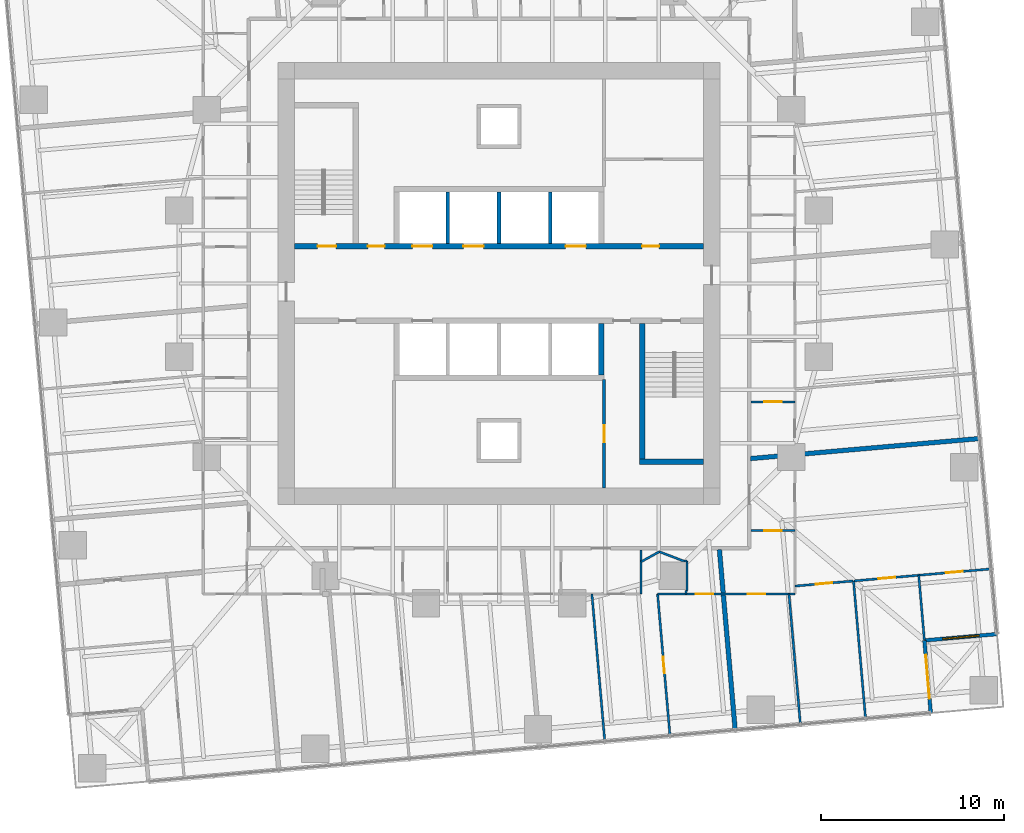
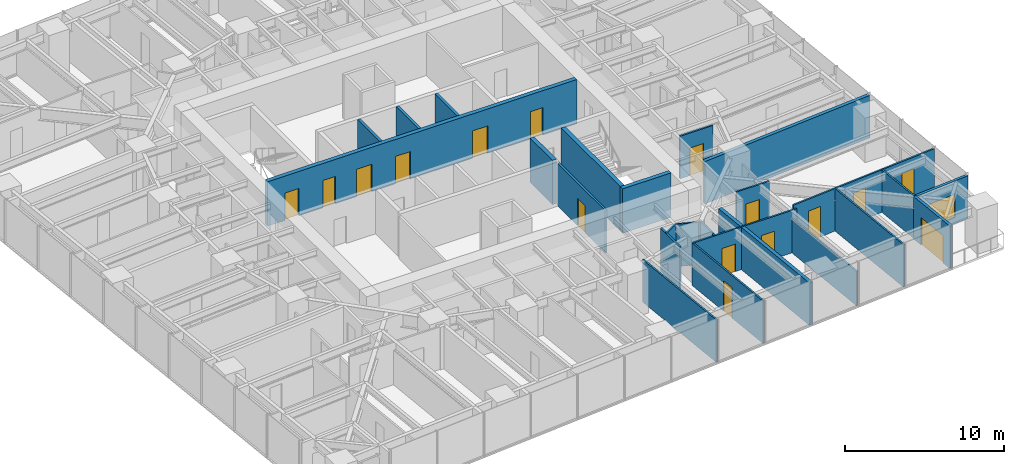
# One storey, part 10 of 14: 28 walls, 16 doors, 1 window, 17 openings.
"""IFC4 building model written with IfcOpenShell, lengths in metres."""

from ifc_helpers import new_model, si_unit, direction, frame, frame_2d, origin, place, context, subcontext, project, spatial, rectangle, extrude, material, layer, layer_set, type_object, element, fill, save


model = new_model("IFC4")

# Units and contexts
model_context = context("Model", 3, precision=1e-05, world=origin(), true_north=direction((0.0, 1.0)))
body_context = subcontext(model_context, "Body", "Model", "MODEL_VIEW")
ifc_project = project(units=[si_unit("LENGTHUNIT", "METRE"), si_unit("AREAUNIT", "SQUARE_METRE"), si_unit("VOLUMEUNIT", "CUBIC_METRE"), si_unit("PLANEANGLEUNIT", "RADIAN"), si_unit("MASSUNIT", "GRAM", prefix="KILO")], contexts=[model_context])

# Site, building, storey
site_placement = place(None, origin())
site = spatial("IfcSite", under=ifc_project, at=site_placement, CompositionType="ELEMENT")
building_placement = place(site_placement, origin())
building = spatial("IfcBuilding", under=site, at=building_placement, Name="Torsade Residences", CompositionType="ELEMENT")
storey_placement = place(building_placement, frame((0.0, 0.0, 57.39990234375)))
storey = spatial("IfcBuildingStorey", under=building, at=storey_placement, Name="L15", CompositionType="ELEMENT", Elevation=57.39990234375)

# Wall, openings, doors
ifc_material_1 = material(Name="Concrete 80 MPa", Category="concrete")
ifc_layer_1 = layer(ifc_material_1, 0.300048828125)
ifc_layer_set_1 = layer_set([ifc_layer_1], Name="Concrete 80 MPa")
wall_type_1 = type_object("IfcWallType", Name="CORE INTERNAL WALL 300", PredefinedType="SHEAR", material=ifc_layer_set_1)
wall_1_placement = place(storey_placement, frame((28.800048828125, 32.050048828125, 0.0), z_axis=(0.0, 0.0, 1.0), x_axis=(1.0, 0.0, 0.0)))
wall_1 = element("IfcWall", 1, at=wall_1_placement, inside=storey, type_object=wall_type_1, Name="Core wall LN L15", PredefinedType="SHEAR", context=body_context, shape_type="SweptSolid", body=[
    extrude(rectangle(XDim=22.39990234375, YDim=0.300048828125, at=frame_2d((11.199951171875, 0.0))), origin(), (0.0, 0.0, 1.0), 3.400146484375),
])
opening_1_placement = place(wall_1_placement, frame((19.0400390625, 0.0, 0.0)))
opening_1 = element("IfcOpeningElement", 2, at=opening_1_placement, cuts=wall_1, Name="Opening D06", PredefinedType="OPENING", context=body_context, shape_type="SweptSolid", body=[
    extrude(rectangle(XDim=0.919921875, YDim=2.10009765625, at=frame_2d((0.4599609375, 1.050048828125))), frame((0.0, 0.159912109375, 0.0), z_axis=(0.0, -1.0, 0.0), x_axis=(1.0, 0.0, 0.0)), (0.0, 0.0, 1.0), 0.320068359375),
])
opening_2_placement = place(wall_1_placement, frame((1.264892578125, 0.0, 0.0)))
opening_2 = element("IfcOpeningElement", 3, at=opening_2_placement, cuts=wall_1, Name="Opening D03", PredefinedType="OPENING", context=body_context, shape_type="SweptSolid", body=[
    extrude(rectangle(XDim=1.02001953125, YDim=2.10009765625, at=frame_2d((0.510009765625, 1.050048828125))), frame((0.0, 0.159912109375, 0.0), z_axis=(0.0, -1.0, 0.0), x_axis=(1.0, 0.0, 0.0)), (0.0, 0.0, 1.0), 0.320068359375),
])
opening_3_placement = place(wall_1_placement, frame((4.014892578125, 0.0, 0.0)))
opening_3 = element("IfcOpeningElement", 4, at=opening_3_placement, cuts=wall_1, Name="Opening D06", PredefinedType="OPENING", context=body_context, shape_type="SweptSolid", body=[
    extrude(rectangle(XDim=0.919921875, YDim=2.10009765625, at=frame_2d((0.4599609375, 1.050048828125))), frame((0.0, 0.159912109375, 0.0), z_axis=(0.0, -1.0, 0.0), x_axis=(1.0, 0.0, 0.0)), (0.0, 0.0, 1.0), 0.320068359375),
])
opening_4_placement = place(wall_1_placement, frame((6.449951171875, 0.0, 0.0)))
opening_4 = element("IfcOpeningElement", 5, at=opening_4_placement, cuts=wall_1, Name="Opening LD", PredefinedType="OPENING", context=body_context, shape_type="SweptSolid", body=[
    extrude(rectangle(XDim=1.10009765625, YDim=2.10009765625, at=frame_2d((0.550048828125, 1.050048828125))), frame((0.0, 0.159912109375, 0.0), z_axis=(0.0, -1.0, 0.0), x_axis=(1.0, 0.0, 0.0)), (0.0, 0.0, 1.0), 0.320068359375),
])
opening_5_placement = place(wall_1_placement, frame((9.25, 0.0, 0.0)))
opening_5 = element("IfcOpeningElement", 6, at=opening_5_placement, cuts=wall_1, Name="Opening LD", PredefinedType="OPENING", context=body_context, shape_type="SweptSolid", body=[
    extrude(rectangle(XDim=1.10009765625, YDim=2.10009765625, at=frame_2d((0.550048828125, 1.050048828125))), frame((0.0, 0.159912109375, 0.0), z_axis=(0.0, -1.0, 0.0), x_axis=(1.0, 0.0, 0.0)), (0.0, 0.0, 1.0), 0.320068359375),
])
opening_6_placement = place(wall_1_placement, frame((14.85009765625, 0.0, 0.0)))
opening_6 = element("IfcOpeningElement", 7, at=opening_6_placement, cuts=wall_1, Name="Opening LD", PredefinedType="OPENING", context=body_context, shape_type="SweptSolid", body=[
    extrude(rectangle(XDim=1.10009765625, YDim=2.10009765625, at=frame_2d((0.550048828125, 1.050048828125))), frame((0.0, 0.159912109375, 0.0), z_axis=(0.0, -1.0, 0.0), x_axis=(1.0, 0.0, 0.0)), (0.0, 0.0, 1.0), 0.320068359375),
])
ifc_material_2 = material(Name="Steel-framed fire door", Category="steel")
door_type_1 = type_object("IfcDoorType", Name="FIRE DOOR 1020", OperationType="NOTDEFINED", PredefinedType="DOOR", material=ifc_material_2)
door_1_placement = place(opening_2_placement, origin())
door_1 = element("IfcDoor", 8, at=door_1_placement, inside=storey, type_object=door_type_1, Name="Exit door to fire-isolated stair ST1 L15", OperationType="SINGLE_SWING_RIGHT", OverallHeight=2.10009765625, OverallWidth=1.02001953125, PredefinedType="DOOR", context=body_context, shape_type="SweptSolid", body=[
    extrude(rectangle(XDim=1.02001953125, YDim=2.10009765625, at=frame_2d((0.510009765625, 1.050048828125))), frame((0.0, 0.02490234375, 0.0), z_axis=(0.0, -1.0, 0.0), x_axis=(1.0, 0.0, 0.0)), (0.0, 0.0, 1.0), 0.050048828125),
])
fill(opening_2, door_1)
ifc_material_3 = material(Name="Steel-framed fire door", Category="steel")
door_type_2 = type_object("IfcDoorType", Name="FIRE DOOR 920", OperationType="NOTDEFINED", PredefinedType="DOOR", material=ifc_material_3)
door_2_placement = place(opening_1_placement, origin())
door_2 = element("IfcDoor", 9, at=door_2_placement, inside=storey, type_object=door_type_2, Name="Door Lift lobby to Refuse room", OperationType="SINGLE_SWING_LEFT", OverallHeight=2.10009765625, OverallWidth=0.919921875, PredefinedType="DOOR", context=body_context, shape_type="SweptSolid", body=[
    extrude(rectangle(XDim=0.919921875, YDim=2.10009765625, at=frame_2d((0.4599609375, 1.050048828125))), frame((0.0, 0.02490234375, 0.0), z_axis=(0.0, -1.0, 0.0), x_axis=(1.0, 0.0, 0.0)), (0.0, 0.0, 1.0), 0.050048828125),
])
fill(opening_1, door_2)
door_3_placement = place(opening_3_placement, origin())
door_3 = element("IfcDoor", 10, at=door_3_placement, inside=storey, type_object=door_type_2, Name="Door Lift lobby to Electrical riser room", OperationType="SINGLE_SWING_LEFT", OverallHeight=2.10009765625, OverallWidth=0.919921875, PredefinedType="DOOR", context=body_context, shape_type="SweptSolid", body=[
    extrude(rectangle(XDim=0.919921875, YDim=2.10009765625, at=frame_2d((0.4599609375, 1.050048828125))), frame((0.0, 0.02490234375, 0.0), z_axis=(0.0, -1.0, 0.0), x_axis=(1.0, 0.0, 0.0)), (0.0, 0.0, 1.0), 0.050048828125),
])
fill(opening_3, door_3)
ifc_material_4 = material(Name="Stainless steel lift landing door", Category="steel")
door_type_3 = type_object("IfcDoorType", Name="LIFT LANDING DOOR 1100", OperationType="SLIDING_TO_LEFT", PredefinedType="DOOR", material=ifc_material_4)
door_4_placement = place(opening_4_placement, origin())
door_4 = element("IfcDoor", 11, at=door_4_placement, inside=storey, type_object=door_type_3, Name="Lift LA1 landing door L15", OperationType="SLIDING_TO_LEFT", OverallHeight=2.10009765625, OverallWidth=1.10009765625, PredefinedType="DOOR", context=body_context, shape_type="SweptSolid", body=[
    extrude(rectangle(XDim=1.10009765625, YDim=2.10009765625, at=frame_2d((0.550048828125, 1.050048828125))), frame((0.0, 0.02490234375, 0.0), z_axis=(0.0, -1.0, 0.0), x_axis=(1.0, 0.0, 0.0)), (0.0, 0.0, 1.0), 0.050048828125),
])
fill(opening_4, door_4)
door_5_placement = place(opening_5_placement, origin())
door_5 = element("IfcDoor", 12, at=door_5_placement, inside=storey, type_object=door_type_3, Name="Lift LA2 landing door L15", OperationType="SLIDING_TO_LEFT", OverallHeight=2.10009765625, OverallWidth=1.10009765625, PredefinedType="DOOR", context=body_context, shape_type="SweptSolid", body=[
    extrude(rectangle(XDim=1.10009765625, YDim=2.10009765625, at=frame_2d((0.550048828125, 1.050048828125))), frame((0.0, 0.02490234375, 0.0), z_axis=(0.0, -1.0, 0.0), x_axis=(1.0, 0.0, 0.0)), (0.0, 0.0, 1.0), 0.050048828125),
])
fill(opening_5, door_5)
door_6_placement = place(opening_6_placement, origin())
door_6 = element("IfcDoor", 13, at=door_6_placement, inside=storey, type_object=door_type_3, Name="Lift FL1 landing door L15", OperationType="SLIDING_TO_LEFT", OverallHeight=2.10009765625, OverallWidth=1.10009765625, PredefinedType="DOOR", context=body_context, shape_type="SweptSolid", body=[
    extrude(rectangle(XDim=1.10009765625, YDim=2.10009765625, at=frame_2d((0.550048828125, 1.050048828125))), frame((0.0, 0.02490234375, 0.0), z_axis=(0.0, -1.0, 0.0), x_axis=(1.0, 0.0, 0.0)), (0.0, 0.0, 1.0), 0.050048828125),
])
fill(opening_6, door_6)

# Walls
wall_2_placement = place(storey_placement, frame((45.60009765625, 27.800048828125, 0.0), z_axis=(0.0, 0.0, 1.0), x_axis=(0.0, -1.0, 0.0)))
element("IfcWall", 14, at=wall_2_placement, inside=storey, type_object=wall_type_1, Name="Core wall DS0 L15", PredefinedType="SHEAR", context=body_context, shape_type="SweptSolid", body=[
    extrude(rectangle(XDim=2.800048828125, YDim=0.300048828125, at=frame_2d((1.39990234375, 0.0))), origin(), (0.0, 0.0, 1.0), 3.400146484375),
])
wall_3_placement = place(storey_placement, frame((47.85009765625, 27.800048828125, 0.0), z_axis=(0.0, 0.0, 1.0), x_axis=(0.0, -1.0, 0.0)))
element("IfcWall", 15, at=wall_3_placement, inside=storey, type_object=wall_type_1, Name="Core wall ST2W L15", PredefinedType="SHEAR", context=body_context, shape_type="SweptSolid", body=[
    extrude(rectangle(XDim=7.699951171875, YDim=0.300048828125, at=frame_2d((3.85009765625, 0.0))), origin(), (0.0, 0.0, 1.0), 3.400146484375),
])
wall_4_placement = place(storey_placement, frame((51.199951171875, 20.25, 0.0), z_axis=(0.0, 0.0, 1.0), x_axis=(-1.0, 0.0, 0.0)))
element("IfcWall", 16, at=wall_4_placement, inside=storey, type_object=wall_type_1, Name="Core wall ST2S L15", PredefinedType="SHEAR", context=body_context, shape_type="SweptSolid", body=[
    extrude(rectangle(XDim=3.5, YDim=0.300048828125, at=frame_2d((1.75, 0.0))), origin(), (0.0, 0.0, 1.0), 3.400146484375),
])
ifc_material_5 = material(Name="Reinforced blockwork", Category="masonry")
ifc_layer_2 = layer(ifc_material_5, 0.199951171875)
ifc_layer_set_2 = layer_set([ifc_layer_2], Name="Reinforced blockwork")
wall_type_2 = type_object("IfcWallType", Name="LIFT SHAFT DIVIDING WALL 200", PredefinedType="SOLIDWALL", material=ifc_layer_set_2)
for number, where, z_axis, x_axis, name in (
    (17, (37.199951171875, 32.199951171875, 0.0), (0.0, 0.0, 1.0), (0.0, 1.0, 0.0), "Core wall DN1 L15"),
    (18, (40.0, 32.199951171875, 0.0), (0.0, 0.0, 1.0), (0.0, 1.0, 0.0), "Core wall DN2 L15"),
    (19, (42.800048828125, 32.199951171875, 0.0), (0.0, 0.0, 1.0), (0.0, 1.0, 0.0), "Core wall DN3 L15"),
):
    element("IfcWall", number, at=place(storey_placement, frame(where, z_axis=z_axis, x_axis=x_axis)), inside=storey, type_object=wall_type_2, Name=name, PredefinedType="SOLIDWALL", context=body_context, shape_type="SweptSolid", body=[
        extrude(rectangle(XDim=2.800048828125, YDim=0.199951171875, at=frame_2d((1.39990234375, 0.0))), origin(), (0.0, 0.0, 1.0), 3.400146484375),
    ])
ifc_material_6 = material(Name="Plasterboard on steel stud", Category="steel")
ifc_layer_3 = layer(ifc_material_6, 0.1201171875)
ifc_layer_set_3 = layer_set([ifc_layer_3], Name="Plasterboard on steel stud")
wall_type_3 = type_object("IfcWallType", Name="PARTITION 120", PredefinedType="PARTITIONING", material=ifc_layer_set_3)
wall_5_placement = place(storey_placement, frame((47.7783203125, 15.39990234375, 0.0), z_axis=(0.0, 0.0, 1.0), x_axis=(0.0, -1.0, 0.0)))
element("IfcWall", 20, at=wall_5_placement, inside=storey, type_object=wall_type_3, Name="Partition L15", PredefinedType="PARTITIONING", context=body_context, shape_type="SweptSolid", body=[
    extrude(rectangle(XDim=2.39990234375, YDim=0.1201171875, at=frame_2d((1.199951171875, 0.0))), origin(), (0.0, 0.0, 1.0), 3.25),
])
wall_6_placement = place(storey_placement, frame((50.23876953125, 13.0, 0.0), z_axis=(0.0, 0.0, 1.0), x_axis=(0.045131013234, 0.99898107672, 0.0)))
element("IfcWall", 21, at=wall_6_placement, inside=storey, type_object=wall_type_3, Name="Partition L15", PredefinedType="PARTITIONING", context=body_context, shape_type="SweptSolid", body=[
    extrude(rectangle(XDim=0.2001953125, YDim=0.1201171875, at=frame_2d((0.10009765625, 0.0))), origin(), (0.0, 0.0, 1.0), 3.25),
])
wall_7_placement = place(storey_placement, frame((50.300048828125, 13.199951171875, 0.0), z_axis=(0.0, 0.0, 1.0), x_axis=(0.0, 1.0, 0.0)))
element("IfcWall", 22, at=wall_7_placement, inside=storey, type_object=wall_type_3, Name="Partition L15", PredefinedType="PARTITIONING", context=body_context, shape_type="SweptSolid", body=[
    extrude(rectangle(XDim=1.60009765625, YDim=0.1201171875, at=frame_2d((0.800048828125, 0.0))), origin(), (0.0, 0.0, 1.0), 3.25),
])
wall_8_placement = place(storey_placement, frame((50.119140625, 14.800048828125, 0.0), z_axis=(0.0, 0.0, 1.0), x_axis=(-0.934135067997, 0.356919703488, 0.0)))
element("IfcWall", 23, at=wall_8_placement, inside=storey, type_object=wall_type_3, Name="Partition L15", PredefinedType="PARTITIONING", context=body_context, shape_type="SweptSolid", body=[
    extrude(rectangle(XDim=1.4384765625, YDim=0.1201171875, at=frame_2d((0.71923828125, 0.0))), origin(), (0.0, 0.0, 1.0), 3.25),
])
wall_9_placement = place(storey_placement, frame((48.775390625, 15.3134765625, 0.0), z_axis=(0.0, 0.0, 1.0), x_axis=(-0.875508887439, -0.483202015741, 0.0)))
element("IfcWall", 24, at=wall_9_placement, inside=storey, type_object=wall_type_3, Name="Partition L15", PredefinedType="PARTITIONING", context=body_context, shape_type="SweptSolid", body=[
    extrude(rectangle(XDim=1.138916015625, YDim=0.1201171875, at=frame_2d((0.5693359375, 0.0))), origin(), (0.0, 0.0, 1.0), 3.25),
])

# Wall, openings, doors
wall_10_placement = place(storey_placement, frame((56.199951171875, 13.0, 0.0), z_axis=(0.0, 0.0, 1.0), x_axis=(-1.0, 0.0, 0.0)))
wall_10 = element("IfcWall", 25, at=wall_10_placement, inside=storey, type_object=wall_type_3, Name="Partition L15", PredefinedType="PARTITIONING", context=body_context, shape_type="SweptSolid", body=[
    extrude(rectangle(XDim=7.5185546875, YDim=0.1201171875, at=frame_2d((3.75927734375, 0.0))), origin(), (0.0, 0.0, 1.0), 3.25),
])
opening_7_placement = place(wall_10_placement, frame((1.617919921875, 0.0, 0.0)))
opening_7 = element("IfcOpeningElement", 26, at=opening_7_placement, cuts=wall_10, Name="Opening D05", PredefinedType="OPENING", context=body_context, shape_type="SweptSolid", body=[
    extrude(rectangle(XDim=0.9599609375, YDim=2.10009765625, at=frame_2d((0.47998046875, 1.050048828125))), frame((0.0, 0.070068359375, 0.0), z_axis=(0.0, -1.0, 0.0), x_axis=(1.0, 0.0, 0.0)), (0.0, 0.0, 1.0), 0.14013671875),
])
opening_8_placement = place(wall_10_placement, frame((4.46142578125, 0.0, 0.0)))
opening_8 = element("IfcOpeningElement", 27, at=opening_8_placement, cuts=wall_10, Name="Opening D05", PredefinedType="OPENING", context=body_context, shape_type="SweptSolid", body=[
    extrude(rectangle(XDim=0.9599609375, YDim=2.10009765625, at=frame_2d((0.47998046875, 1.050048828125))), frame((0.0, 0.070068359375, 0.0), z_axis=(0.0, -1.0, 0.0), x_axis=(1.0, 0.0, 0.0)), (0.0, 0.0, 1.0), 0.14013671875),
])
ifc_material_7 = material(Name="Hollow-core timber door in a steel cavity frame", Category="steel")
door_type_4 = type_object("IfcDoorType", Name="BATHROOM CAVITY SLIDING DOOR 960", OperationType="SLIDING_TO_LEFT", PredefinedType="DOOR", material=ifc_material_7)
door_7_placement = place(opening_7_placement, origin())
door_7 = element("IfcDoor", 28, at=door_7_placement, inside=storey, type_object=door_type_4, Name="Door Bathroom to Study", OperationType="SLIDING_TO_LEFT", OverallHeight=2.10009765625, OverallWidth=0.9599609375, PredefinedType="DOOR", context=body_context, shape_type="SweptSolid", body=[
    extrude(rectangle(XDim=0.9599609375, YDim=2.10009765625, at=frame_2d((0.47998046875, 1.050048828125))), frame((0.0, 0.02490234375, 0.0), z_axis=(0.0, -1.0, 0.0), x_axis=(1.0, 0.0, 0.0)), (0.0, 0.0, 1.0), 0.050048828125),
])
fill(opening_7, door_7)
door_8_placement = place(opening_8_placement, origin())
door_8 = element("IfcDoor", 29, at=door_8_placement, inside=storey, type_object=door_type_4, Name="Door Bedroom 2 to Bathroom", OperationType="SLIDING_TO_LEFT", OverallHeight=2.10009765625, OverallWidth=0.9599609375, PredefinedType="DOOR", context=body_context, shape_type="SweptSolid", body=[
    extrude(rectangle(XDim=0.9599609375, YDim=2.10009765625, at=frame_2d((0.47998046875, 1.050048828125))), frame((0.0, 0.02490234375, 0.0), z_axis=(0.0, -1.0, 0.0), x_axis=(1.0, 0.0, 0.0)), (0.0, 0.0, 1.0), 0.050048828125),
])
fill(opening_8, door_8)

# Wall
wall_11_placement = place(storey_placement, frame((45.084228515625, 13.0, 0.0), z_axis=(0.0, 0.0, 1.0), x_axis=(0.087184938313, -0.99619214338, 0.0)))
element("IfcWall", 30, at=wall_11_placement, inside=storey, type_object=wall_type_3, Name="Partition L15", PredefinedType="PARTITIONING", context=body_context, shape_type="SweptSolid", body=[
    extrude(rectangle(XDim=8.08154296875, YDim=0.1201171875, at=frame_2d((4.040771484375, 0.0))), origin(), (0.0, 0.0, 1.0), 3.25),
])

# Wall, opening, door
wall_12_placement = place(storey_placement, frame((48.681396484375, 13.0, 0.0), z_axis=(0.0, 0.0, 1.0), x_axis=(0.0871517452, -0.996195047824, 0.0)))
wall_12 = element("IfcWall", 31, at=wall_12_placement, inside=storey, type_object=wall_type_3, Name="Partition L15", PredefinedType="PARTITIONING", context=body_context, shape_type="SweptSolid", body=[
    extrude(rectangle(XDim=7.76806640625, YDim=0.1201171875, at=frame_2d((3.884033203125, 0.0))), origin(), (0.0, 0.0, 1.0), 3.25),
])
opening_9_placement = place(wall_12_placement, frame((3.444091796875, 0.0, 0.0)))
opening_9 = element("IfcOpeningElement", 32, at=opening_9_placement, cuts=wall_12, Name="Opening D02", PredefinedType="OPENING", context=body_context, shape_type="SweptSolid", body=[
    extrude(rectangle(XDim=0.919921875, YDim=2.340087890625, at=frame_2d((0.4599609375, 1.169921875))), frame((0.0, 0.070068359375, 0.0), z_axis=(0.0, -1.0, 0.0), x_axis=(1.0, 0.0, 0.0)), (0.0, 0.0, 1.0), 0.14013671875),
])
ifc_material_8 = material(Name="Hollow-core timber door", Category="wood")
door_type_5 = type_object("IfcDoorType", Name="INTERNAL DOOR 920x2340", OperationType="NOTDEFINED", PredefinedType="DOOR", material=ifc_material_8)
door_9_placement = place(opening_9_placement, origin())
door_9 = element("IfcDoor", 33, at=door_9_placement, inside=storey, type_object=door_type_5, Name="Door Bedroom 1 to Bedroom 2", OperationType="SINGLE_SWING_RIGHT", OverallHeight=2.340087890625, OverallWidth=0.919921875, PredefinedType="DOOR", context=body_context, shape_type="SweptSolid", body=[
    extrude(rectangle(XDim=0.919921875, YDim=2.340087890625, at=frame_2d((0.4599609375, 1.169921875))), frame((0.0, 0.02490234375, 0.0), z_axis=(0.0, -1.0, 0.0), x_axis=(1.0, 0.0, 0.0)), (0.0, 0.0, 1.0), 0.050048828125),
])
fill(opening_9, door_9)

wall_13_placement = place(storey_placement, frame((56.199951171875, 16.469970703125, 0.0), z_axis=(0.0, 0.0, 1.0), x_axis=(-1.0, 0.0, 0.0)))
wall_13 = element("IfcWall", 34, at=wall_13_placement, inside=storey, type_object=wall_type_3, Name="Partition L15", PredefinedType="PARTITIONING", context=body_context, shape_type="SweptSolid", body=[
    extrude(rectangle(XDim=2.39990234375, YDim=0.1201171875, at=frame_2d((1.199951171875, 0.0))), origin(), (0.0, 0.0, 1.0), 3.25),
])
opening_10_placement = place(wall_13_placement, frame((0.719970703125, 0.0, 0.0)))
opening_10 = element("IfcOpeningElement", 35, at=opening_10_placement, cuts=wall_13, Name="Opening D05", PredefinedType="OPENING", context=body_context, shape_type="SweptSolid", body=[
    extrude(rectangle(XDim=0.9599609375, YDim=2.10009765625, at=frame_2d((0.47998046875, 1.050048828125))), frame((0.0, 0.070068359375, 0.0), z_axis=(0.0, -1.0, 0.0), x_axis=(1.0, 0.0, 0.0)), (0.0, 0.0, 1.0), 0.14013671875),
])
door_10_placement = place(opening_10_placement, origin())
door_10 = element("IfcDoor", 36, at=door_10_placement, inside=storey, type_object=door_type_4, Name="Door Kitchen and dining to Bathroom", OperationType="SLIDING_TO_LEFT", OverallHeight=2.10009765625, OverallWidth=0.9599609375, PredefinedType="DOOR", context=body_context, shape_type="SweptSolid", body=[
    extrude(rectangle(XDim=0.9599609375, YDim=2.10009765625, at=frame_2d((0.47998046875, 1.050048828125))), frame((0.0, 0.02490234375, 0.0), z_axis=(0.0, -1.0, 0.0), x_axis=(1.0, 0.0, 0.0)), (0.0, 0.0, 1.0), 0.050048828125),
])
fill(opening_10, door_10)

# Wall
wall_14_placement = place(storey_placement, frame((60.0673828125, 6.198486328125, 0.0), z_axis=(0.0, 0.0, 1.0), x_axis=(-0.087161730761, 0.99619417419, 0.0)))
element("IfcWall", 37, at=wall_14_placement, inside=storey, type_object=wall_type_3, Name="Partition L15", PredefinedType="PARTITIONING", context=body_context, shape_type="SweptSolid", body=[
    extrude(rectangle(XDim=7.543212890625, YDim=0.1201171875, at=frame_2d((3.771484375, 0.0))), origin(), (0.0, 0.0, 1.0), 3.25),
])

# Wall, openings, doors
wall_15_placement = place(storey_placement, frame((66.924560546875, 14.37060546875, 0.0), z_axis=(0.0, 0.0, 1.0), x_axis=(-0.996192271243, -0.087183477305, 0.0)))
wall_15 = element("IfcWall", 38, at=wall_15_placement, inside=storey, type_object=wall_type_3, Name="Partition L15", PredefinedType="PARTITIONING", context=body_context, shape_type="SweptSolid", body=[
    extrude(rectangle(XDim=7.51318359375, YDim=0.1201171875, at=frame_2d((3.756591796875, 0.0))), origin(), (0.0, 0.0, 1.0), 3.25),
])
opening_11_placement = place(wall_15_placement, frame((1.5400390625, 0.0, 0.0)))
opening_11 = element("IfcOpeningElement", 39, at=opening_11_placement, cuts=wall_15, Name="Opening D02", PredefinedType="OPENING", context=body_context, shape_type="SweptSolid", body=[
    extrude(rectangle(XDim=0.919921875, YDim=2.340087890625, at=frame_2d((0.4599609375, 1.169921875))), frame((0.0, 0.070068359375, 0.0), z_axis=(0.0, -1.0, 0.0), x_axis=(1.0, 0.0, 0.0)), (0.0, 0.0, 1.0), 0.14013671875),
])
opening_12_placement = place(wall_15_placement, frame((5.251708984375, 0.0, 0.0)))
opening_12 = element("IfcOpeningElement", 40, at=opening_12_placement, cuts=wall_15, Name="Opening D02", PredefinedType="OPENING", context=body_context, shape_type="SweptSolid", body=[
    extrude(rectangle(XDim=0.919921875, YDim=2.340087890625, at=frame_2d((0.4599609375, 1.169921875))), frame((0.0, 0.070068359375, 0.0), z_axis=(0.0, -1.0, 0.0), x_axis=(1.0, 0.0, 0.0)), (0.0, 0.0, 1.0), 0.14013671875),
])
door_11_placement = place(opening_11_placement, origin())
door_11 = element("IfcDoor", 41, at=door_11_placement, inside=storey, type_object=door_type_5, Name="Door Living room to Family room", OperationType="SINGLE_SWING_RIGHT", OverallHeight=2.340087890625, OverallWidth=0.919921875, PredefinedType="DOOR", context=body_context, shape_type="SweptSolid", body=[
    extrude(rectangle(XDim=0.919921875, YDim=2.340087890625, at=frame_2d((0.4599609375, 1.169921875))), frame((0.0, 0.02490234375, 0.0), z_axis=(0.0, -1.0, 0.0), x_axis=(1.0, 0.0, 0.0)), (0.0, 0.0, 1.0), 0.050048828125),
])
fill(opening_11, door_11)
door_12_placement = place(opening_12_placement, origin())
door_12 = element("IfcDoor", 42, at=door_12_placement, inside=storey, type_object=door_type_5, Name="Door Living room to Bedroom 1", OperationType="SINGLE_SWING_LEFT", OverallHeight=2.340087890625, OverallWidth=0.919921875, PredefinedType="DOOR", context=body_context, shape_type="SweptSolid", body=[
    extrude(rectangle(XDim=0.919921875, YDim=2.340087890625, at=frame_2d((0.4599609375, 1.169921875))), frame((0.0, 0.02490234375, 0.0), z_axis=(0.0, -1.0, 0.0), x_axis=(1.0, 0.0, 0.0)), (0.0, 0.0, 1.0), 0.050048828125),
])
fill(opening_12, door_12)

# Wall, opening, door
wall_16_placement = place(storey_placement, frame((59.380126953125, 13.71044921875, 0.0), z_axis=(0.0, 0.0, 1.0), x_axis=(-0.996197121005, -0.087128044293, 0.0)))
wall_16 = element("IfcWall", 43, at=wall_16_placement, inside=storey, type_object=wall_type_3, Name="Partition L15", PredefinedType="PARTITIONING", context=body_context, shape_type="SweptSolid", body=[
    extrude(rectangle(XDim=3.191650390625, YDim=0.1201171875, at=frame_2d((1.595703125, 0.0))), origin(), (0.0, 0.0, 1.0), 3.25),
])
opening_13_placement = place(wall_16_placement, frame((1.1357421875, 0.0, 0.0)))
opening_13 = element("IfcOpeningElement", 44, at=opening_13_placement, cuts=wall_16, Name="Opening D02", PredefinedType="OPENING", context=body_context, shape_type="SweptSolid", body=[
    extrude(rectangle(XDim=0.919921875, YDim=2.340087890625, at=frame_2d((0.4599609375, 1.169921875))), frame((0.0, 0.070068359375, 0.0), z_axis=(0.0, -1.0, 0.0), x_axis=(1.0, 0.0, 0.0)), (0.0, 0.0, 1.0), 0.14013671875),
])
door_13_placement = place(opening_13_placement, origin())
door_13 = element("IfcDoor", 45, at=door_13_placement, inside=storey, type_object=door_type_5, Name="Door Living room to Bedroom 2", OperationType="SINGLE_SWING_RIGHT", OverallHeight=2.340087890625, OverallWidth=0.919921875, PredefinedType="DOOR", context=body_context, shape_type="SweptSolid", body=[
    extrude(rectangle(XDim=0.919921875, YDim=2.340087890625, at=frame_2d((0.4599609375, 1.169921875))), frame((0.0, 0.02490234375, 0.0), z_axis=(0.0, -1.0, 0.0), x_axis=(1.0, 0.0, 0.0)), (0.0, 0.0, 1.0), 0.050048828125),
])
fill(opening_13, door_13)

# Walls
wall_17_placement = place(storey_placement, frame((62.979736328125, 14.025390625, 0.0), z_axis=(0.0, 0.0, 1.0), x_axis=(0.087161821847, -0.996194166221, 0.0)))
element("IfcWall", 46, at=wall_17_placement, inside=storey, type_object=wall_type_3, Name="Partition L15", PredefinedType="PARTITIONING", context=body_context, shape_type="SweptSolid", body=[
    extrude(rectangle(XDim=3.543212890625, YDim=0.1201171875, at=frame_2d((1.771484375, 0.0))), origin(), (0.0, 0.0, 1.0), 3.25),
])
wall_18_placement = place(storey_placement, frame((56.497802734375, 5.88623046875, 0.0), z_axis=(0.0, 0.0, 1.0), x_axis=(-0.087147441029, 0.996195424363, 0.0)))
element("IfcWall", 47, at=wall_18_placement, inside=storey, type_object=wall_type_3, Name="Partition L15", PredefinedType="PARTITIONING", context=body_context, shape_type="SweptSolid", body=[
    extrude(rectangle(XDim=7.140869140625, YDim=0.1201171875, at=frame_2d((3.5703125, 0.0))), origin(), (0.0, 0.0, 1.0), 2.63818359375),
])

# Wall, opening, door
wall_19_placement = place(storey_placement, frame((56.199951171875, 23.51953125, 0.0), z_axis=(0.0, 0.0, 1.0), x_axis=(-1.0, 0.0, 0.0)))
wall_19 = element("IfcWall", 48, at=wall_19_placement, inside=storey, type_object=wall_type_3, Name="Partition L15", PredefinedType="PARTITIONING", context=body_context, shape_type="SweptSolid", body=[
    extrude(rectangle(XDim=2.39990234375, YDim=0.1201171875, at=frame_2d((1.199951171875, 0.0))), origin(), (0.0, 0.0, 1.0), 3.25),
])
opening_14_placement = place(wall_19_placement, frame((0.719970703125, 0.0, 0.0)))
opening_14 = element("IfcOpeningElement", 49, at=opening_14_placement, cuts=wall_19, Name="Opening D05", PredefinedType="OPENING", context=body_context, shape_type="SweptSolid", body=[
    extrude(rectangle(XDim=0.9599609375, YDim=2.10009765625, at=frame_2d((0.47998046875, 1.050048828125))), frame((0.0, 0.070068359375, 0.0), z_axis=(0.0, -1.0, 0.0), x_axis=(1.0, 0.0, 0.0)), (0.0, 0.0, 1.0), 0.14013671875),
])
door_14_placement = place(opening_14_placement, origin())
door_14 = element("IfcDoor", 50, at=door_14_placement, inside=storey, type_object=door_type_4, Name="Door Bathroom to Ensuite", OperationType="SLIDING_TO_LEFT", OverallHeight=2.10009765625, OverallWidth=0.9599609375, PredefinedType="DOOR", context=body_context, shape_type="SweptSolid", body=[
    extrude(rectangle(XDim=0.9599609375, YDim=2.10009765625, at=frame_2d((0.47998046875, 1.050048828125))), frame((0.0, 0.02490234375, 0.0), z_axis=(0.0, -1.0, 0.0), x_axis=(1.0, 0.0, 0.0)), (0.0, 0.0, 1.0), 0.050048828125),
])
fill(opening_14, door_14)

# Walls
wall_20_placement = place(storey_placement, frame((50.300048828125, 14.800048828125, 0.0), z_axis=(0.0, 0.0, 1.0), x_axis=(-1.0, 0.0, 0.0)))
element("IfcWall", 51, at=wall_20_placement, inside=storey, type_object=wall_type_3, Name="Partition L15", PredefinedType="PARTITIONING", context=body_context, shape_type="SweptSolid", body=[
    extrude(rectangle(XDim=0.180908203125, YDim=0.1201171875, at=frame_2d((0.09033203125, 0.0))), origin(), (0.0, 0.0, 1.0), 3.25),
])
ifc_material_9 = material(Name="Masonry-lined stud party wall", Category="masonry")
ifc_layer_4 = layer(ifc_material_9, 0.25)
ifc_layer_set_4 = layer_set([ifc_layer_4], Name="Masonry-lined stud party wall")
wall_type_4 = type_object("IfcWallType", Name="PARTY WALL 250", PredefinedType="PARTITIONING", material=ifc_layer_set_4)
wall_21_placement = place(storey_placement, frame((66.33984375, 21.513427734375, 0.0), z_axis=(0.0, 0.0, 1.0), x_axis=(-0.996194851608, -0.087153988028, 0.0)))
element("IfcWall", 52, at=wall_21_placement, inside=storey, type_object=wall_type_4, Name="Party wall L15", PredefinedType="PARTITIONING", context=body_context, shape_type="SweptSolid", body=[
    extrude(rectangle(XDim=12.616943359375, YDim=0.25, at=frame_2d((6.30859375, 0.0))), origin(), (0.0, 0.0, 1.0), 3.25),
])
wall_22_placement = place(storey_placement, frame((52.931640625, 5.533935546875, 0.0), z_axis=(0.0, 0.0, 1.0), x_axis=(-0.087157803114, 0.996194517831, 0.0)))
element("IfcWall", 53, at=wall_22_placement, inside=storey, type_object=wall_type_4, Name="Party wall L15", PredefinedType="PARTITIONING", context=body_context, shape_type="SweptSolid", body=[
    extrude(rectangle(XDim=9.932861328125, YDim=0.25, at=frame_2d((4.96630859375, 0.0))), origin(), (0.0, 0.0, 1.0), 3.25),
])

# Wall, opening, door
ifc_material_10 = material(Name="Reinforced blockwork", Category="masonry")
ifc_layer_5 = layer(ifc_material_10, 0.14990234375)
ifc_layer_set_5 = layer_set([ifc_layer_5], Name="Reinforced blockwork")
wall_type_5 = type_object("IfcWallType", Name="SERVICE ROOM WALL 150", PredefinedType="SOLIDWALL", material=ifc_layer_set_5)
wall_23_placement = place(storey_placement, frame((45.75, 18.800048828125, 0.0), z_axis=(0.0, 0.0, 1.0), x_axis=(0.0, 1.0, 0.0)))
wall_23 = element("IfcWall", 54, at=wall_23_placement, inside=storey, type_object=wall_type_5, Name="Service room wall L15", PredefinedType="SOLIDWALL", context=body_context, shape_type="SweptSolid", body=[
    extrude(rectangle(XDim=5.949951171875, YDim=0.14990234375, at=frame_2d((2.97509765625, 0.0))), origin(), (0.0, 0.0, 1.0), 3.25),
])
opening_15_placement = place(wall_23_placement, frame((2.514892578125, 0.0, 0.0)))
opening_15 = element("IfcOpeningElement", 55, at=opening_15_placement, cuts=wall_23, Name="Opening D06", PredefinedType="OPENING", context=body_context, shape_type="SweptSolid", body=[
    extrude(rectangle(XDim=0.919921875, YDim=2.10009765625, at=frame_2d((0.4599609375, 1.050048828125))), frame((0.0, 0.0849609375, 0.0), z_axis=(0.0, -1.0, 0.0), x_axis=(1.0, 0.0, 0.0)), (0.0, 0.0, 1.0), 0.169921875),
])
door_15_placement = place(opening_15_placement, origin())
door_15 = element("IfcDoor", 56, at=door_15_placement, inside=storey, type_object=door_type_2, Name="Door Security and data store to Communications riser room", OperationType="SINGLE_SWING_RIGHT", OverallHeight=2.10009765625, OverallWidth=0.919921875, PredefinedType="DOOR", context=body_context, shape_type="SweptSolid", body=[
    extrude(rectangle(XDim=0.919921875, YDim=2.10009765625, at=frame_2d((0.4599609375, 1.050048828125))), frame((0.0, 0.02490234375, 0.0), z_axis=(0.0, -1.0, 0.0), x_axis=(1.0, 0.0, 0.0)), (0.0, 0.0, 1.0), 0.050048828125),
])
fill(opening_15, door_15)

ifc_material_11 = material(Name="Stone-faced precast concrete 40 MPa panel", Category="masonry")
ifc_layer_6 = layer(ifc_material_11, 0.199951171875)
ifc_layer_set_6 = layer_set([ifc_layer_6], Name="Stone-faced precast concrete 40 MPa panel")
wall_type_6 = type_object("IfcWallType", Name="TERRACE WALL 200", PredefinedType="SOLIDWALL", material=ifc_layer_set_6)
wall_24_placement = place(storey_placement, frame((63.640625, 6.470947265625, 0.0), z_axis=(0.0, 0.0, 1.0), x_axis=(-0.087161650072, 0.99619418125, 0.0)))
wall_24 = element("IfcWall", 57, at=wall_24_placement, inside=storey, type_object=wall_type_6, Name="Terrace wall L15 2", PredefinedType="SOLIDWALL", context=body_context, shape_type="SweptSolid", body=[
    extrude(rectangle(XDim=3.999755859375, YDim=0.199951171875, at=frame_2d((2.0, 0.0))), origin(), (0.0, 0.0, 1.0), 3.25),
])
opening_16_placement = place(wall_24_placement, frame((0.800048828125, 0.0, 0.0)))
opening_16 = element("IfcOpeningElement", 58, at=opening_16_placement, cuts=wall_24, Name="Opening D10A", PredefinedType="OPENING", context=body_context, shape_type="SweptSolid", body=[
    extrude(rectangle(XDim=2.39990234375, YDim=2.10009765625, at=frame_2d((1.199951171875, 1.050048828125))), frame((0.0, 0.10986328125, 0.0), z_axis=(0.0, -1.0, 0.0), x_axis=(1.0, 0.0, 0.0)), (0.0, 0.0, 1.0), 0.219970703125),
])
ifc_material_12 = material(Name="Aluminium-framed glass door", Category="aluminium")
door_type_6 = type_object("IfcDoorType", Name="TERRACE SLIDING DOOR 2400x2100", OperationType="SLIDING_TO_LEFT", PredefinedType="DOOR", material=ifc_material_12)
door_16_placement = place(opening_16_placement, origin())
door_16 = element("IfcDoor", 59, at=door_16_placement, inside=storey, type_object=door_type_6, Name="Terrace door L15 2", OperationType="SLIDING_TO_LEFT", OverallHeight=2.10009765625, OverallWidth=2.39990234375, PredefinedType="DOOR", context=body_context, shape_type="SweptSolid", body=[
    extrude(rectangle(XDim=2.39990234375, YDim=2.10009765625, at=frame_2d((1.199951171875, 1.050048828125))), frame((0.0, 0.02490234375, 0.0), z_axis=(0.0, -1.0, 0.0), x_axis=(1.0, 0.0, 0.0)), (0.0, 0.0, 1.0), 0.050048828125),
])
fill(opening_16, door_16)

# Wall, opening, window
wall_25_placement = place(storey_placement, frame((63.2919921875, 10.45556640625, 0.0), z_axis=(0.0, 0.0, 1.0), x_axis=(0.99619464492, 0.087156350505, 0.0)))
wall_25 = element("IfcWall", 60, at=wall_25_placement, inside=storey, type_object=wall_type_6, Name="Terrace wall L15 3", PredefinedType="SOLIDWALL", context=body_context, shape_type="SweptSolid", body=[
    extrude(rectangle(XDim=4.0, YDim=0.199951171875, at=frame_2d((2.0, 0.0))), origin(), (0.0, 0.0, 1.0), 3.25),
])
opening_17_placement = place(wall_25_placement, frame((1.0, 0.0, 0.449951171875)))
opening_17 = element("IfcOpeningElement", 61, at=opening_17_placement, cuts=wall_25, Name="Opening W1B", PredefinedType="OPENING", context=body_context, shape_type="SweptSolid", body=[
    extrude(rectangle(XDim=2.0, YDim=1.800048828125, at=frame_2d((1.0, 0.89990234375))), frame((0.0, 0.10986328125, 0.0), z_axis=(0.0, -1.0, 0.0), x_axis=(1.0, 0.0, 0.0)), (0.0, 0.0, 1.0), 0.219970703125),
])
ifc_material_13 = material(Name="Aluminium-framed glass window", Category="aluminium")
window_type = type_object("IfcWindowType", Name="TERRACE WINDOW 2000x1800", PartitioningType="SINGLE_PANEL", PredefinedType="WINDOW", material=ifc_material_13)
window_placement = place(opening_17_placement, origin())
window = element("IfcWindow", 62, at=window_placement, inside=storey, type_object=window_type, Name="Terrace window L15 3", OverallHeight=1.800048828125, OverallWidth=2.0, PartitioningType="SINGLE_PANEL", PredefinedType="WINDOW", context=body_context, shape_type="SweptSolid", body=[
    extrude(rectangle(XDim=2.0, YDim=1.800048828125, at=frame_2d((1.0, 0.89990234375))), frame((0.0, 0.030029296875, 0.0), z_axis=(0.0, -1.0, 0.0), x_axis=(1.0, 0.0, 0.0)), (0.0, 0.0, 1.0), 0.06005859375),
])
fill(opening_17, window)

save(model, "model.ifc")
